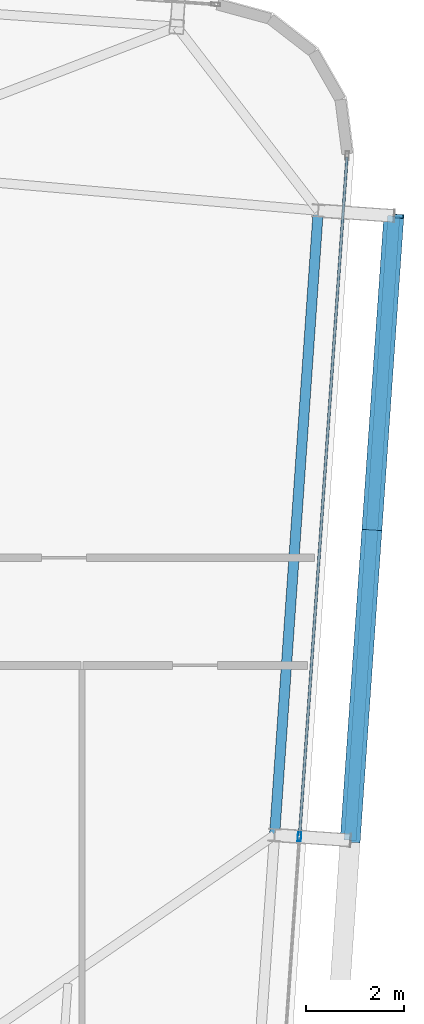
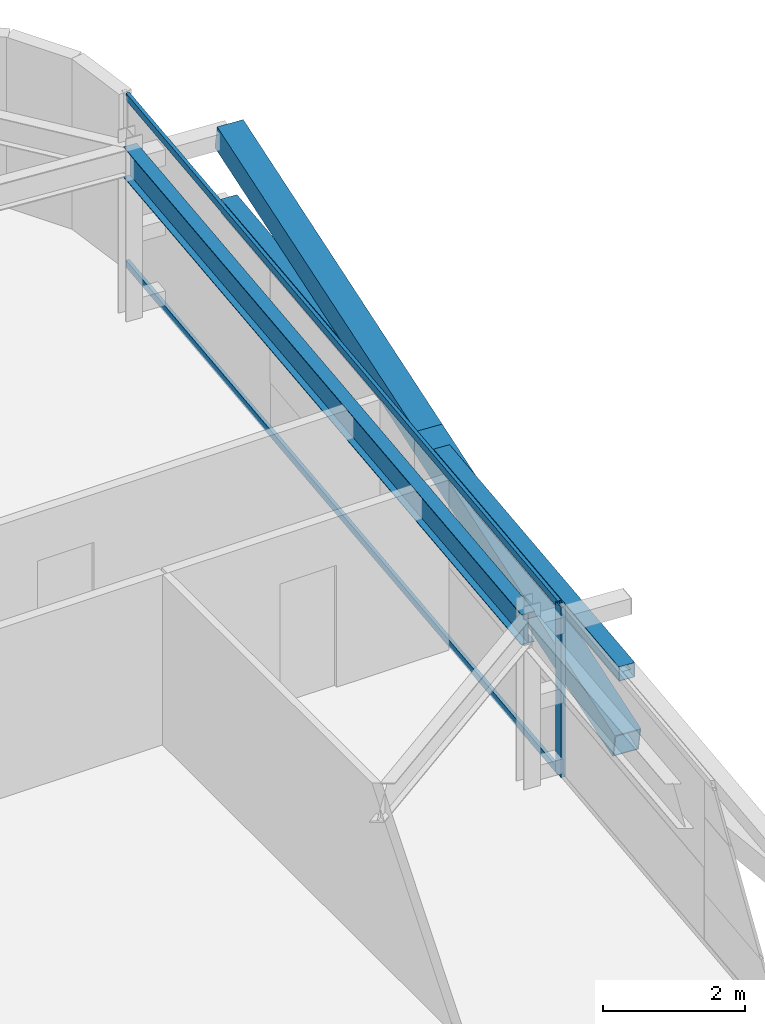
# One storey, part 17 of 39: 6 members, 1 beam, 1 element without a shape of its own.
"""IFC4 building model written with IfcOpenShell, lengths in metres."""

from ifc_helpers import new_model, si_unit, direction, frame, origin, origin_2d, place, context, subcontext, project, spatial, hollow_rectangle, i_section, extrude, source, transform, mapped, material, layer, layer_set, material_profile, profile_set, type_object, element, aggregate, save


model = new_model("IFC4")

# Units and contexts
model_context = context("Model", 3, precision=1e-05, world=origin(), true_north=direction((0.0, 1.0)))
body_context = subcontext(model_context, "Body", "Model", "MODEL_VIEW")
ifc_project = project(units=[si_unit("LENGTHUNIT", "METRE"), si_unit("AREAUNIT", "SQUARE_METRE"), si_unit("VOLUMEUNIT", "CUBIC_METRE"), si_unit("PLANEANGLEUNIT", "RADIAN"), si_unit("MASSUNIT", "GRAM", prefix="KILO")], contexts=[model_context])

# Site, building, storey
site_placement = place(None, origin())
site = spatial("IfcSite", under=ifc_project, at=site_placement, CompositionType="ELEMENT")
building_placement = place(site_placement, origin())
building = spatial("IfcBuilding", under=site, at=building_placement, Name="Taldren Reach Tower", CompositionType="ELEMENT")
storey_placement = place(building_placement, frame((0.0, 0.0, 155.050048828125)))
storey = spatial("IfcBuildingStorey", under=building, at=storey_placement, Name="L47", CompositionType="ELEMENT", Elevation=155.050048828125)

# Beam
ifc_material_1 = material(Name="Steel Gr 350 (350PLUS)", Category="steel")
ifc_material_profile_1 = material_profile(ifc_material_1, i_section(OverallWidth=0.208984375, OverallDepth=0.528076171875, WebThickness=0.009521484375, FlangeThickness=0.01318359375, at=origin_2d()), Name="530UB82.0")
ifc_profile_set_1 = profile_set([ifc_material_profile_1], Name="Steel Gr 350 (350PLUS)")
beam_type = type_object("IfcBeamType", Name="SP-UB530B", PredefinedType="SPANDREL", material=ifc_profile_set_1)
shared_shape_1 = source(origin(), body_context, "Body", "SweptSolid", [
    extrude(i_section(OverallWidth=0.208984375, OverallDepth=0.528076171875, WebThickness=0.009521484375, FlangeThickness=0.01318359375, at=origin_2d()), origin(), (0.0, 0.0, 1.0), 12.800048828125),
])
beam_placement = place(storey_placement, frame((60.438232421875, 18.331787109375, 2.666015625), z_axis=(0.069751876777, 0.9975643717, 0.0), x_axis=(-0.9975643717, 0.069751876777, 0.0)))
element("IfcBeam", 1, at=beam_placement, inside=storey, type_object=beam_type, Name="Perimeter spandrel B3 E2-E3 L47", PredefinedType="SPANDREL", context=body_context, shape_type="MappedRepresentation", body=[
    mapped(shared_shape_1, transform((0.0, 0.0, 0.0), scale=1.0)),
])

# Members
ifc_material_2 = material(Name="Steel Gr 350 (C350L0)", Category="steel")
ifc_material_profile_2 = material_profile(ifc_material_2, hollow_rectangle(XDim=0.25, YDim=0.25, WallThickness=0.010009765625, at=origin_2d()), Name="250x250x10.0SHS")
ifc_profile_set_2 = profile_set([ifc_material_profile_2], Name="Steel Gr 350 (C350L0)")
member_type_1 = type_object("IfcMemberType", Name="MB-POST250", PredefinedType="POST", material=ifc_profile_set_2)
shared_shape_2 = source(origin(), body_context, "Body", "SweptSolid", [
    extrude(hollow_rectangle(XDim=0.25, YDim=0.25, WallThickness=0.010009765625, at=origin_2d()), origin(), (0.0, 0.0, 1.0), 12.800048828125),
])
member_1_placement = place(storey_placement, frame((61.984375, 18.2236328125, 1.43505859375), z_axis=(0.069770857464, 0.997563044348, 0.0), x_axis=(-0.997563044348, 0.069770857464, 0.0)))
element("IfcMember", 2, at=member_1_placement, inside=storey, type_object=member_type_1, Name="Exoskeleton mid-height ring chord B3-E2 L47", PredefinedType="POST", context=body_context, shape_type="MappedRepresentation", body=[
    mapped(shared_shape_2, transform((0.0, 0.0, 0.0), scale=1.0)),
])
ifc_material_3 = material(Name="Steel Gr 450 (C450L0)", Category="steel")
ifc_material_profile_3 = material_profile(ifc_material_3, hollow_rectangle(XDim=0.409912109375, YDim=0.409912109375, WallThickness=0.01611328125, at=origin_2d()), Name="410x410x16.0SHS")
ifc_profile_set_3 = profile_set([ifc_material_profile_3], Name="Steel Gr 450 (C450L0)")
member_type_2 = type_object("IfcMemberType", Name="MB-EXO406", PredefinedType="BRACE", material=ifc_profile_set_3)
shared_shape_3 = source(origin(), body_context, "Body", "SweptSolid", [
    extrude(hollow_rectangle(XDim=0.409912109375, YDim=0.409912109375, WallThickness=0.01611328125, at=origin_2d()), origin(), (0.0, 0.0, 1.0), 6.514404296875),
])
member_2_placement = place(storey_placement, frame((62.430908203125, 24.60791015625, 1.43505859375), z_axis=(0.068545605936, 0.980063499638, 0.186486022492), x_axis=(-0.997563137195, 0.069769529958, 0.0)))
element("IfcMember", 3, at=member_2_placement, inside=storey, type_object=member_type_2, Name="Exoskeleton Diagrid Brace B3-E2 L47", PredefinedType="BRACE", context=body_context, shape_type="MappedRepresentation", body=[
    mapped(shared_shape_3, transform((0.0, 0.0, 0.0), scale=1.0)),
])
shared_shape_4 = source(origin(), body_context, "Body", "SweptSolid", [
    extrude(hollow_rectangle(XDim=0.409912109375, YDim=0.409912109375, WallThickness=0.01611328125, at=origin_2d()), origin(), (0.0, 0.0, 1.0), 6.51416015625),
])
member_3_placement = place(storey_placement, frame((61.984375, 18.2236328125, 0.219970703125), z_axis=(0.068547644544, 0.980055169399, 0.186529046964), x_axis=(-0.997562951496, 0.069772185021, 0.0)))
element("IfcMember", 4, at=member_3_placement, inside=storey, type_object=member_type_2, Name="Exoskeleton Diagrid Brace B3-E2 L47", PredefinedType="BRACE", context=body_context, shape_type="MappedRepresentation", body=[
    mapped(shared_shape_4, transform((0.0, 0.0, 0.0), scale=1.0)),
])

# Curtain wall, members
ifc_material_4 = material(Name="Aluminium and Low-E Glass Unitised System", Category="aluminium")
ifc_layer = layer(ifc_material_4, 0.159912109375)
ifc_layer_set = layer_set([ifc_layer], Name="Aluminium and Low-E Glass Unitised System")
curtain_wall_type = type_object("IfcCurtainWallType", Name="CW-SYS-4", PredefinedType="NOTDEFINED", material=ifc_layer_set)
curtain_wall_placement = place(storey_placement, origin())
curtain_wall = element("IfcCurtainWall", 5, at=curtain_wall_placement, inside=storey, type_object=curtain_wall_type, Name="Unitised curtain wall CW-L47-E", PredefinedType="NOTDEFINED")
ifc_material_5 = material(Name="Anodised Aluminium 6063-T6", Category="aluminium")
ifc_material_profile_4 = material_profile(ifc_material_5, hollow_rectangle(XDim=0.054931640625, YDim=0.1201171875, WallThickness=0.0029296875, at=origin_2d()), Name="ALU-120x55x3RHS")
ifc_profile_set_4 = profile_set([ifc_material_profile_4], Name="Anodised Aluminium 6063-T6")
member_type_3 = type_object("IfcMemberType", Name="CW-TRN-135", PredefinedType="USERDEFINED", material=ifc_profile_set_4)
shared_shape_5 = source(origin(), body_context, "Body", "SweptSolid", [
    extrude(hollow_rectangle(XDim=0.054931640625, YDim=0.1201171875, WallThickness=0.0029296875, at=origin_2d()), origin(), (0.0, 0.0, 1.0), 13.89501953125),
])
member_4_placement = place(storey_placement, frame((60.949462890625, 18.3310546875, 0.02734375), z_axis=(0.069754817075, 0.997564166104, 0.0), x_axis=(-0.997564166104, 0.069754817075, 0.0)))
member_4 = element("IfcMember", 6, at=member_4_placement, type_object=member_type_3, Name="CW-4 transom 2.1", ObjectType="TRANSOM", PredefinedType="USERDEFINED", context=body_context, shape_type="MappedRepresentation", body=[
    mapped(shared_shape_5, transform((0.0, 0.0, 0.0), scale=1.0)),
])
member_5_placement = place(storey_placement, frame((60.949462890625, 18.3310546875, 2.90234375), z_axis=(0.069754817075, 0.997564166104, 0.0), x_axis=(-0.997564166104, 0.069754817075, 0.0)))
member_5 = element("IfcMember", 7, at=member_5_placement, type_object=member_type_3, Name="CW-4 transom 2.2", ObjectType="TRANSOM", PredefinedType="USERDEFINED", context=body_context, shape_type="MappedRepresentation", body=[
    mapped(shared_shape_5, transform((0.0, 0.0, 0.0), scale=1.0)),
])
ifc_material_profile_5 = material_profile(ifc_material_5, hollow_rectangle(XDim=0.070068359375, YDim=0.179931640625, WallThickness=0.00390625, at=origin_2d()), Name="ALU-180x70x4RHS")
ifc_profile_set_5 = profile_set([ifc_material_profile_5], Name="Anodised Aluminium 6063-T6")
member_type_4 = type_object("IfcMemberType", Name="CW-MUL-180", PredefinedType="MULLION", material=ifc_profile_set_5)
shared_shape_6 = source(origin(), body_context, "Body", "SweptSolid", [
    extrude(hollow_rectangle(XDim=0.070068359375, YDim=0.179931640625, WallThickness=0.00390625, at=origin_2d()), origin(), (0.0, 0.0, 1.0), 2.929931640625),
])
member_6_placement = place(storey_placement, frame((60.947021484375, 18.296142578125, 0.0), z_axis=(0.0, 0.0, 1.0), x_axis=(-0.997564052812, 0.069756437251, 0.0)))
member_6 = element("IfcMember", 8, at=member_6_placement, type_object=member_type_4, Name="CW-4 mullion 2", PredefinedType="MULLION", context=body_context, shape_type="MappedRepresentation", body=[
    mapped(shared_shape_6, transform((0.0, 0.0, 0.0), scale=1.0)),
])
aggregate(curtain_wall, [member_6, member_4, member_5])

save(model, "model.ifc")
